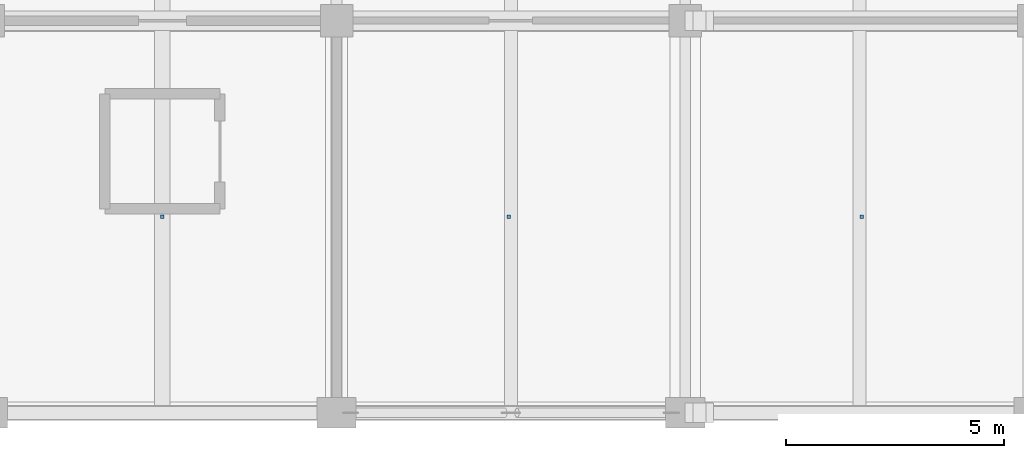
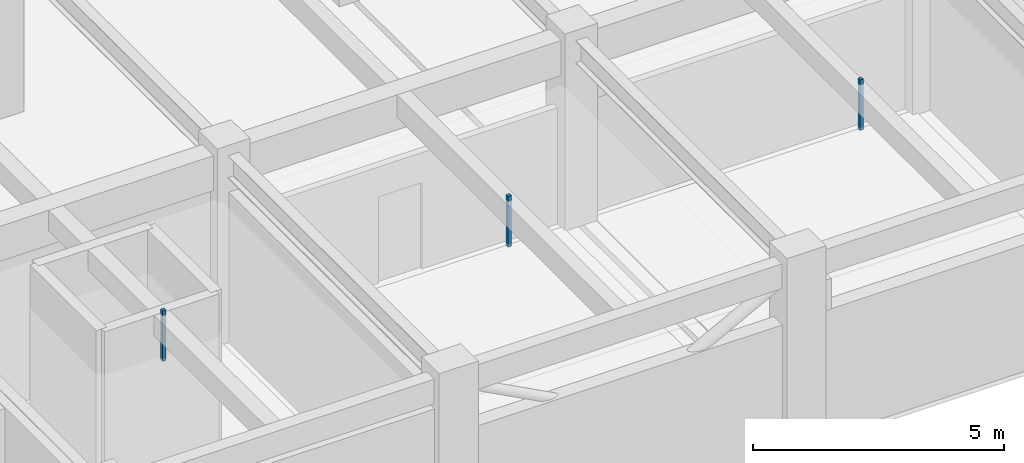
# One storey, part 117 of 144: 3 discrete accessories.
"""IFC4 building model written with IfcOpenShell, lengths in metres."""

from ifc_helpers import new_model, si_unit, direction, frame, origin, origin_2d, place, context, subcontext, project, spatial, rectangle, extrude, material, layer, layer_set, type_object, element, save


model = new_model("IFC4")

# Units and contexts
model_context = context("Model", 3, precision=1e-05, world=origin(), true_north=direction((0.0, 1.0)))
body_context = subcontext(model_context, "Body", "Model", "MODEL_VIEW")
ifc_project = project(units=[si_unit("LENGTHUNIT", "METRE"), si_unit("AREAUNIT", "SQUARE_METRE"), si_unit("VOLUMEUNIT", "CUBIC_METRE"), si_unit("PLANEANGLEUNIT", "RADIAN"), si_unit("MASSUNIT", "GRAM", prefix="KILO")], contexts=[model_context])

# Site, building, storey
site_placement = place(None, origin())
site = spatial("IfcSite", under=ifc_project, at=site_placement, CompositionType="ELEMENT")
building_placement = place(site_placement, origin())
building = spatial("IfcBuilding", under=site, at=building_placement, Name="Varnabhumi Central Station", CompositionType="ELEMENT")
storey_placement = place(building_placement, frame((0.0, 0.0, 4.800048828125)))
storey = spatial("IfcBuildingStorey", under=building, at=storey_placement, Name="L01", CompositionType="ELEMENT", Elevation=4.800048828125)

# Discrete accessories
ifc_material = material(Name="Structural steel E350", Category="steel")
ifc_layer = layer(ifc_material, 0.159912109375, Name="Structural steel E350", Category="steel")
ifc_layer_set = layer_set([ifc_layer], Name="Structural steel E350")
discrete_accessory_type = type_object("IfcDiscreteAccessoryType", Name="ACC-SHADE-BRKT", PredefinedType="BRACKET", material=ifc_layer_set)
for number, where, z_axis, x_axis, name in (
    (1, (52.0, 4.5, 3.43994140625), (0.0, 0.0, 1.0), (1.0, 0.0, 0.0), "Ticketing Network Server Room Ceiling Hanger"),
    (2, (59.949951171875, 4.5, 3.43994140625), (0.0, 0.0, 1.0), (1.0, 0.0, 0.0), "Parcel Dispatch Records Office Ceiling Hanger"),
    (3, (68.050048828125, 4.5, 3.43994140625), (0.0, 0.0, 1.0), (1.0, 0.0, 0.0), "Parcel Dispatch Records Office Ceiling Hanger"),
):
    element("IfcDiscreteAccessory", number, at=place(storey_placement, frame(where, z_axis=z_axis, x_axis=x_axis)), inside=storey, type_object=discrete_accessory_type, Name=name, PredefinedType="BRACKET", context=body_context, shape_type="SweptSolid", body=[
        extrude(rectangle(XDim=0.080078125, YDim=0.080078125, at=origin_2d()), origin(), (0.0, 0.0, 1.0), 1.22998046875),
    ])

save(model, "model.ifc")
